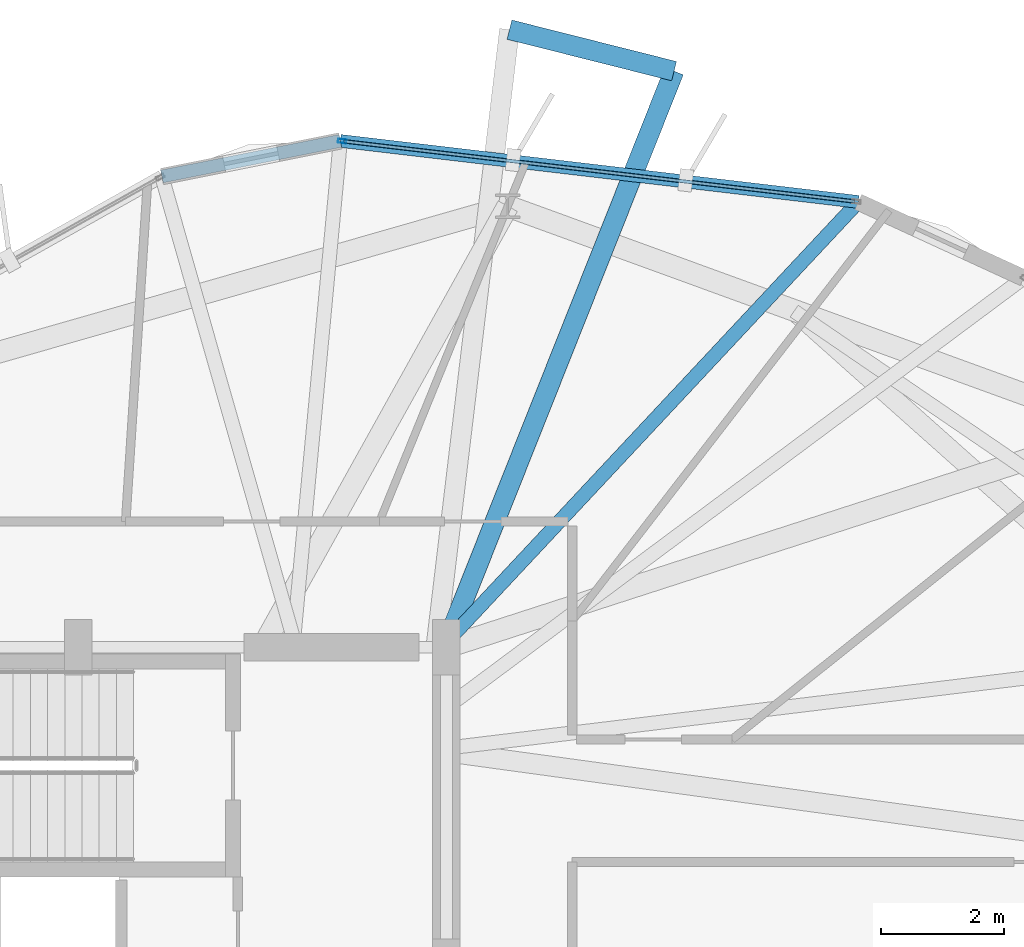
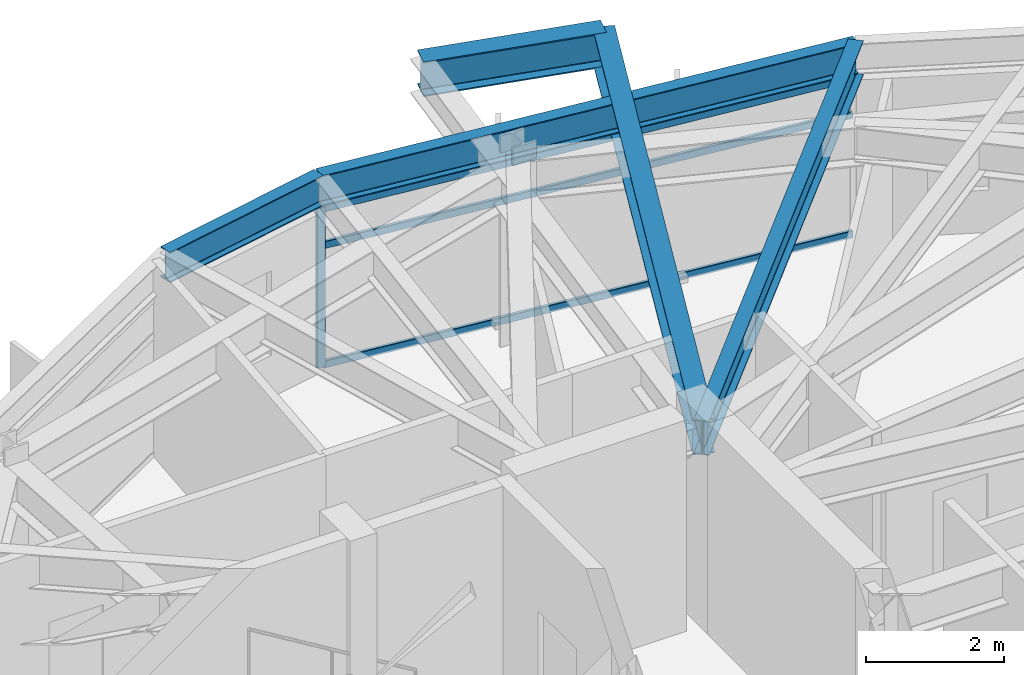
# One storey, part 16 of 25: 5 beams, 4 members, 1 element without a shape of its own.
"""IFC4 building model written with IfcOpenShell, lengths in metres."""

import ifcopenshell
import ifcopenshell.guid

model = None  # the IFC model being written
_history = None  # IfcOwnerHistory: only IFC2X3 demands one
_inside = {}  # id of a spatial element -> (the spatial element, [elements in it])
_under = {}  # id of a project, library or spatial element -> (it, [spatial elements below it])
_declared = {}  # id of a project -> (the project, [libraries it declares])
_typed = {}  # id of a type object -> (the type object, [elements of that type])
_made_of = {}  # id of a material, layer set ... -> (it, [elements and type objects made of it])


def new_model(schema):
    """Start an empty IFC model of exactly this schema.

    Asked for "IFC4X3", IfcOpenShell would pick the latest addendum, in which some entities
    have other attributes; the version numbers below select the first issue.
    IFC2X3 requires an IfcOwnerHistory on every rooted entity: one is made here for all.
    """
    global model, _history
    if schema == "IFC4X3":
        model = ifcopenshell.file(schema_version=(4, 3, 0, 0))
    else:
        model = ifcopenshell.file(schema=schema)
    _inside.clear()
    _under.clear()
    _declared.clear()
    _typed.clear()
    _made_of.clear()
    _history = None
    if model.schema == "IFC2X3":
        org = make("IfcOrganization", Name="unknown")
        user = make(
            "IfcPersonAndOrganization",
            ThePerson=make("IfcPerson", FamilyName="unknown"),
            TheOrganization=org,
        )
        app = make(
            "IfcApplication",
            ApplicationDeveloper=org,
            Version="unknown",
            ApplicationFullName="unknown",
            ApplicationIdentifier="unknown",
        )
        _history = make(
            "IfcOwnerHistory",
            OwningUser=user,
            OwningApplication=app,
            ChangeAction="ADDED",
            CreationDate=0,
        )
    return model


def make(cls, **values):
    """One entity of the class cls with the attributes given. An attribute that is None is left unset."""
    return model.create_entity(
        cls, **{name: value for name, value in values.items() if value is not None}
    )


def rooted(cls, **values):
    """An entity with a GlobalId (a new one), such as an element, a storey or a relation."""
    return make(cls, GlobalId=ifcopenshell.guid.new(), OwnerHistory=_history, **values)


def si_unit(unit_type, name, prefix=None):
    """IfcSIUnit, for example si_unit("LENGTHUNIT", "METRE", prefix="MILLI")."""
    return make("IfcSIUnit", UnitType=unit_type, Prefix=prefix, Name=name)


def assignment(units):
    """IfcUnitAssignment: the units of a project."""
    return None if units is None else make("IfcUnitAssignment", Units=units)


def point(xyz):
    """IfcCartesianPoint."""
    return None if xyz is None else make("IfcCartesianPoint", Coordinates=xyz)


def direction(xyz):
    """IfcDirection."""
    return None if xyz is None else make("IfcDirection", DirectionRatios=xyz)


def frame(location, z_axis=None, x_axis=None):
    """IfcAxis2Placement3D, a coordinate frame: its origin and axes. An axis left out is left unset."""
    return make(
        "IfcAxis2Placement3D",
        Location=point(location),
        Axis=direction(z_axis),
        RefDirection=direction(x_axis),
    )


def frame_2d(location, x_axis=None):
    """IfcAxis2Placement2D, a coordinate frame in the plane: its origin and x axis."""
    return make(
        "IfcAxis2Placement2D", Location=point(location), RefDirection=direction(x_axis)
    )


def origin():
    """The frame at (0, 0, 0) with its axes left unset."""
    return frame((0.0, 0.0, 0.0))


def origin_2d():
    """The frame at (0, 0) in the plane with its x axis left unset."""
    return frame_2d((0.0, 0.0))


def place(relative_to, where):
    """IfcLocalPlacement: puts the frame where relative to a parent placement (None: the world)."""
    return make(
        "IfcLocalPlacement", PlacementRelTo=relative_to, RelativePlacement=where
    )


def context(
    kind, dimensions, precision=None, world=None, true_north=None, identifier=None
):
    """IfcGeometricRepresentationContext, for example the 3D "Model" context."""
    return make(
        "IfcGeometricRepresentationContext",
        ContextIdentifier=identifier,
        ContextType=kind,
        CoordinateSpaceDimension=dimensions,
        Precision=precision,
        WorldCoordinateSystem=world,
        TrueNorth=true_north,
    )


def subcontext(parent, identifier, kind, view, scale=None):
    """IfcGeometricRepresentationSubContext, for example "Body" below "Model"."""
    return make(
        "IfcGeometricRepresentationSubContext",
        ContextIdentifier=identifier,
        ContextType=kind,
        ParentContext=parent,
        TargetScale=scale,
        TargetView=view,
    )


def project(units=None, contexts=None):
    """IfcProject with its units and contexts."""
    return rooted(
        "IfcProject",
        Name="project",
        RepresentationContexts=contexts,
        UnitsInContext=assignment(units),
    )


def spatial(cls, under=None, at=None, **own):
    """A site, building, storey or space (cls), placed at a placement, below another one or the project."""
    s = rooted(cls, ObjectPlacement=at, **own)
    if under is not None:
        _under.setdefault(under.id(), (under, []))[1].append(s)
    return s


def profile(cls, at=None, kind="AREA", **sizes):
    """A parametric profile (cls). Its sizes go by their IFC names, for example OverallWidth=200.0."""
    return make(cls, ProfileType=kind, Position=at, **sizes)


def hollow_rectangle(**sizes):
    """IfcRectangleHollowProfileDef."""
    return profile("IfcRectangleHollowProfileDef", **sizes)


def i_section(**sizes):
    """IfcIShapeProfileDef."""
    return profile("IfcIShapeProfileDef", **sizes)


def extrude(swept, where, along, depth):
    """IfcExtrudedAreaSolid: the profile swept, set in the frame where, extruded along a direction by depth."""
    return make(
        "IfcExtrudedAreaSolid",
        SweptArea=swept,
        Position=where,
        ExtrudedDirection=direction(along),
        Depth=depth,
    )


def shape(context_of_items, identifier, shape_type, items):
    """IfcShapeRepresentation: the items that make up one representation, for example the "Body"."""
    return make(
        "IfcShapeRepresentation",
        ContextOfItems=context_of_items,
        RepresentationIdentifier=identifier,
        RepresentationType=shape_type,
        Items=items,
    )


def material(Name=None, Category=None):
    """IfcMaterial."""
    return make("IfcMaterial", Name=Name, Category=Category)


def layer(
    of_material, thickness, ventilated=None, Name=None, Category=None, Priority=None
):
    """IfcMaterialLayer: one layer of a wall or slab, of a material (None: an air gap)."""
    return make(
        "IfcMaterialLayer",
        Material=of_material,
        LayerThickness=thickness,
        IsVentilated=ventilated,
        Name=Name,
        Category=Category,
        Priority=Priority,
    )


def layer_set(layers, Name=None):
    """IfcMaterialLayerSet."""
    return make("IfcMaterialLayerSet", MaterialLayers=layers, LayerSetName=Name)


def material_profile(
    of_material, cross_section, Name=None, Category=None, Priority=None
):
    """IfcMaterialProfile: a cross section and its material."""
    return make(
        "IfcMaterialProfile",
        Name=Name,
        Material=of_material,
        Profile=cross_section,
        Priority=Priority,
        Category=Category,
    )


def profile_set(profiles, Name=None, composite=None):
    """IfcMaterialProfileSet."""
    return make(
        "IfcMaterialProfileSet",
        Name=Name,
        MaterialProfiles=profiles,
        CompositeProfile=composite,
    )


def made_of(thing, what):
    """Note that an element or type object is made of a material, layer set ...; save() writes the relation."""
    if what is not None:
        _made_of.setdefault(what.id(), (what, []))[1].append(thing)
    return thing


def type_object(cls, material=None, **own):
    """A type object (cls), such as IfcWallType, which elements share."""
    return made_of(rooted(cls, **own), material)


def element(
    cls,
    number,
    at=None,
    inside=None,
    cuts=None,
    type_object=None,
    material=None,
    context=None,
    identifier="Body",
    shape_type=None,
    held_by="IfcProductDefinitionShape",
    body=None,
    shapes=None,
    **own,
):
    """One element of the class cls, such as IfcWall. Its Tag is "e" and its number.

    at: its placement. inside: the storey or other place that contains it. cuts: it is an
    opening in that element (IfcRelVoidsElement). A single representation is given by context,
    identifier, shape_type and body (its items); several are given by shapes. held_by: the class
    of the entity that holds the representations. save() writes the other relations.
    """
    e = rooted(cls, Tag="e%d" % number, ObjectPlacement=at, **own)
    if body is not None:
        shapes = [shape(context, identifier, shape_type, body)]
    if shapes is not None:
        e.Representation = make(held_by, Representations=shapes)
    if inside is not None:
        _inside.setdefault(inside.id(), (inside, []))[1].append(e)
    if cuts is not None:
        rooted(
            "IfcRelVoidsElement", RelatingBuildingElement=cuts, RelatedOpeningElement=e
        )
    if type_object is not None:
        _typed.setdefault(type_object.id(), (type_object, []))[1].append(e)
    return made_of(e, material)


def aggregate(whole, parts):
    """IfcRelAggregates: a whole, such as a stair, and the parts it consists of."""
    return rooted("IfcRelAggregates", RelatingObject=whole, RelatedObjects=parts)


def save(model, path):
    """Write the relations noted so far, then the file.

    IfcRelAggregates (storeys below a building ...), IfcRelContainedInSpatialStructure (elements
    in a storey), IfcRelDefinesByType, IfcRelAssociatesMaterial and IfcRelDeclares: one each for
    every whole, place, type object, material and project.
    """
    for whole, parts in _under.values():
        aggregate(whole, parts)
    for where, things in _inside.values():
        rooted(
            "IfcRelContainedInSpatialStructure",
            RelatedElements=things,
            RelatingStructure=where,
        )
    for kind, things in _typed.values():
        rooted("IfcRelDefinesByType", RelatedObjects=things, RelatingType=kind)
    for what, things in _made_of.values():
        rooted("IfcRelAssociatesMaterial", RelatedObjects=things, RelatingMaterial=what)
    for by, libraries in _declared.values():
        rooted("IfcRelDeclares", RelatingContext=by, RelatedDefinitions=libraries)
    model.write(path)


model = new_model("IFC4")

# Units and contexts
model_context = context("Model", 3, precision=1e-05, world=origin(), true_north=direction((0.0, 1.0)))
body_context = subcontext(model_context, "Body", "Model", "MODEL_VIEW")
ifc_project = project(units=[si_unit("LENGTHUNIT", "METRE"), si_unit("AREAUNIT", "SQUARE_METRE"), si_unit("VOLUMEUNIT", "CUBIC_METRE"), si_unit("PLANEANGLEUNIT", "RADIAN"), si_unit("MASSUNIT", "GRAM", prefix="KILO")], contexts=[model_context])

# Site, building, storey
site_placement = place(None, origin())
site = spatial("IfcSite", under=ifc_project, at=site_placement, CompositionType="ELEMENT")
building_placement = place(site_placement, origin())
building = spatial("IfcBuilding", under=site, at=building_placement, Name="Soratama Intermodal Tower", CompositionType="ELEMENT")
storey_placement = place(building_placement, frame((0.0, 0.0, 272.5)))
storey = spatial("IfcBuildingStorey", under=building, at=storey_placement, Name="L69", CompositionType="ELEMENT", Elevation=272.5)

# Beams
ifc_material_1 = material(Name="Structural steel ASTM A992 Grade 50", Category="steel")
ifc_material_profile_1 = material_profile(ifc_material_1, i_section(OverallWidth=0.324951171875, OverallDepth=0.615966796875, WebThickness=0.013916015625, FlangeThickness=0.021484375, FilletRadius=0.013916015625, at=origin_2d()), Name="W24X117")
ifc_profile_set_1 = profile_set([ifc_material_profile_1], Name="Structural steel ASTM A992 Grade 50")
beam_type_1 = type_object("IfcBeamType", Name="BM-CANT-W24X117", PredefinedType="BEAM", material=ifc_profile_set_1)
beam_1_placement = place(storey_placement, frame((48.31005859375, 44.39111328125, 3.14208984375), z_axis=(-0.969694331999, 0.244321309937, 0.0), x_axis=(-0.244321309937, -0.969694331999, 0.0)))
element("IfcBeam", 1, at=beam_1_placement, inside=storey, type_object=beam_type_1, Name="BM-L69-CBHDR-2", PredefinedType="BEAM", context=body_context, shape_type="SweptSolid", body=[
    extrude(i_section(OverallWidth=0.324951171875, OverallDepth=0.615966796875, WebThickness=0.013916015625, FlangeThickness=0.021484375, FilletRadius=0.013916015625, at=origin_2d()), origin(), (0.0, 0.0, 1.0), 2.765869140625),
])
beam_2_placement = place(storey_placement, frame((44.590087890625, 35.037109375, 3.14208984375), z_axis=(0.369537536986, 0.929215803115, 0.0), x_axis=(-0.929215803115, 0.369537536986, 0.0)))
element("IfcBeam", 2, at=beam_2_placement, inside=storey, type_object=beam_type_1, Name="BM-L69-CANT-2-1", PredefinedType="BEAM", context=body_context, shape_type="SweptSolid", body=[
    extrude(i_section(OverallWidth=0.324951171875, OverallDepth=0.615966796875, WebThickness=0.013916015625, FlangeThickness=0.021484375, FilletRadius=0.013916015625, at=origin_2d()), origin(), (0.0, 0.0, 1.0), 10.066650390625),
])
ifc_material_2 = material(Name="Structural steel ASTM A992 Grade 50", Category="steel")
ifc_material_profile_2 = material_profile(ifc_material_2, i_section(OverallWidth=0.2099609375, OverallDepth=0.537109375, WebThickness=0.010986328125, FlangeThickness=0.017333984375, FilletRadius=0.012939453125, at=origin_2d()), Name="W21X68")
ifc_profile_set_2 = profile_set([ifc_material_profile_2], Name="Structural steel ASTM A992 Grade 50")
beam_type_2 = type_object("IfcBeamType", Name="BM-SPN-W21X68", PredefinedType="SPANDREL", material=ifc_profile_set_2)
beam_3_placement = place(storey_placement, frame((51.31298828125, 42.260009765625, 3.181396484375), z_axis=(-0.993140601989, 0.116926236066, 0.0), x_axis=(-0.116926236066, -0.993140601989, 0.0)))
element("IfcBeam", 3, at=beam_3_placement, inside=storey, type_object=beam_type_2, Name="BS-L69-F01", PredefinedType="SPANDREL", context=body_context, shape_type="SweptSolid", body=[
    extrude(i_section(OverallWidth=0.2099609375, OverallDepth=0.537109375, WebThickness=0.010986328125, FlangeThickness=0.017333984375, FilletRadius=0.012939453125, at=origin_2d()), origin(), (0.0, 0.0, 1.0), 8.500244140625),
])
beam_4_placement = place(storey_placement, frame((42.87109375, 43.25390625, 3.181396484375), z_axis=(-0.980710244845, -0.195467172835, 0.0), x_axis=(0.195467172835, -0.980710244845, 0.0)))
element("IfcBeam", 4, at=beam_4_placement, inside=storey, type_object=beam_type_2, Name="BS-L69-CRN01", PredefinedType="SPANDREL", context=body_context, shape_type="SweptSolid", body=[
    extrude(i_section(OverallWidth=0.2099609375, OverallDepth=0.537109375, WebThickness=0.010986328125, FlangeThickness=0.017333984375, FilletRadius=0.012939453125, at=origin_2d()), origin(), (0.0, 0.0, 1.0), 2.96630859375),
])
ifc_material_3 = material(Name="Structural steel ASTM A992 Grade 50", Category="steel")
ifc_material_profile_3 = material_profile(ifc_material_3, i_section(OverallWidth=0.22900390625, OverallDepth=0.612060546875, WebThickness=0.011962890625, FlangeThickness=0.01953125, FilletRadius=0.012939453125, at=origin_2d()), Name="W24X84")
ifc_profile_set_3 = profile_set([ifc_material_profile_3], Name="Structural steel ASTM A992 Grade 50")
beam_type_3 = type_object("IfcBeamType", Name="BM-TIE-W24X84", PredefinedType="BEAM", material=ifc_profile_set_3)
beam_5_placement = place(storey_placement, frame((44.549072265625, 35.029052734375, 3.14404296875), z_axis=(0.683128708126, 0.730297999541, 0.0), x_axis=(-0.730297999541, 0.683128708126, 0.0)))
element("IfcBeam", 5, at=beam_5_placement, inside=storey, type_object=beam_type_3, Name="BM-L69-TIE0-01", PredefinedType="BEAM", context=body_context, shape_type="SweptSolid", body=[
    extrude(i_section(OverallWidth=0.22900390625, OverallDepth=0.612060546875, WebThickness=0.011962890625, FlangeThickness=0.01953125, FilletRadius=0.012939453125, at=origin_2d()), origin(), (0.0, 0.0, 1.0), 9.9013671875),
])

# Curtain wall, members
ifc_material_4 = material(Name="Double-glazed aluminium curtain wall", Category="aluminium")
ifc_layer = layer(ifc_material_4, 0.159912109375)
ifc_layer_set = layer_set([ifc_layer], Name="Double-glazed aluminium curtain wall")
curtain_wall_type = type_object("IfcCurtainWallType", Name="CW-SYS-5", PredefinedType="NOTDEFINED", material=ifc_layer_set)
curtain_wall_placement = place(storey_placement, origin())
curtain_wall = element("IfcCurtainWall", 6, at=curtain_wall_placement, inside=storey, type_object=curtain_wall_type, Name="L69 Faceted Curtain Wall F01", PredefinedType="NOTDEFINED")
ifc_material_5 = material(Name="Anodised aluminium AA 6063-T6", Category="aluminium")
ifc_material_profile_4 = material_profile(ifc_material_5, hollow_rectangle(XDim=0.06494140625, YDim=0.139892578125, WallThickness=0.0048828125, InnerFilletRadius=0.0048828125, OuterFilletRadius=0.010009765625, at=origin_2d()), Name="CWM140X65X5")
ifc_profile_set_4 = profile_set([ifc_material_profile_4], Name="Anodised aluminium AA 6063-T6")
member_type_1 = type_object("IfcMemberType", Name="MT-CWM-5", PredefinedType="MULLION", material=ifc_profile_set_4)
member_1_placement = place(storey_placement, frame((42.9013671875, 43.250732421875, 0.0), z_axis=(0.0, 0.0, 1.0), x_axis=(-0.117013261669, -0.993130352267, 0.0)))
member_1 = element("IfcMember", 7, at=member_1_placement, type_object=member_type_1, Name="CW-5 mullion 2", PredefinedType="MULLION", context=body_context, shape_type="SweptSolid", body=[
    extrude(hollow_rectangle(XDim=0.06494140625, YDim=0.139892578125, WallThickness=0.0048828125, InnerFilletRadius=0.0048828125, OuterFilletRadius=0.010009765625, at=origin_2d()), origin(), (0.0, 0.0, 1.0), 2.8291015625),
])
ifc_material_6 = material(Name="Anodised aluminium AA 6063-T6", Category="aluminium")
ifc_material_profile_5 = material_profile(ifc_material_6, hollow_rectangle(XDim=0.06005859375, YDim=0.1298828125, WallThickness=0.0048828125, InnerFilletRadius=0.0048828125, OuterFilletRadius=0.010009765625, at=origin_2d()), Name="CWT130X60X5")
ifc_profile_set_5 = profile_set([ifc_material_profile_5], Name="Anodised aluminium AA 6063-T6")
member_type_2 = type_object("IfcMemberType", Name="TT-CWT-2", PredefinedType="USERDEFINED", material=ifc_profile_set_5)
member_2_placement = place(storey_placement, frame((51.25341796875, 42.2666015625, 0.030029296875), z_axis=(-0.993128113807, 0.117032258659, 0.0), x_axis=(-0.117032258659, -0.993128113807, 0.0)))
member_2 = element("IfcMember", 8, at=member_2_placement, type_object=member_type_2, Name="CW-5 transom 1.1", ObjectType="TRANSOM", PredefinedType="USERDEFINED", context=body_context, shape_type="SweptSolid", body=[
    extrude(hollow_rectangle(XDim=0.06005859375, YDim=0.1298828125, WallThickness=0.0048828125, InnerFilletRadius=0.0048828125, OuterFilletRadius=0.010009765625, at=origin_2d()), origin(), (0.0, 0.0, 1.0), 8.3798828125),
])
member_3_placement = place(storey_placement, frame((51.25341796875, 42.2666015625, 2.14990234375), z_axis=(-0.993128113807, 0.117032258659, 0.0), x_axis=(-0.117032258659, -0.993128113807, 0.0)))
member_3 = element("IfcMember", 9, at=member_3_placement, type_object=member_type_2, Name="CW-5 transom 1.2", ObjectType="TRANSOM", PredefinedType="USERDEFINED", context=body_context, shape_type="SweptSolid", body=[
    extrude(hollow_rectangle(XDim=0.06005859375, YDim=0.1298828125, WallThickness=0.0048828125, InnerFilletRadius=0.0048828125, OuterFilletRadius=0.010009765625, at=origin_2d()), origin(), (0.0, 0.0, 1.0), 8.3798828125),
])
member_4_placement = place(storey_placement, frame((51.25341796875, 42.2666015625, 2.799072265625), z_axis=(-0.993128113807, 0.117032258659, 0.0), x_axis=(-0.117032258659, -0.993128113807, 0.0)))
member_4 = element("IfcMember", 10, at=member_4_placement, type_object=member_type_2, Name="CW-5 transom 1.3", ObjectType="TRANSOM", PredefinedType="USERDEFINED", context=body_context, shape_type="SweptSolid", body=[
    extrude(hollow_rectangle(XDim=0.06005859375, YDim=0.1298828125, WallThickness=0.0048828125, InnerFilletRadius=0.0048828125, OuterFilletRadius=0.010009765625, at=origin_2d()), origin(), (0.0, 0.0, 1.0), 8.3798828125),
])
aggregate(curtain_wall, [member_1, member_2, member_3, member_4])

save(model, "model.ifc")
